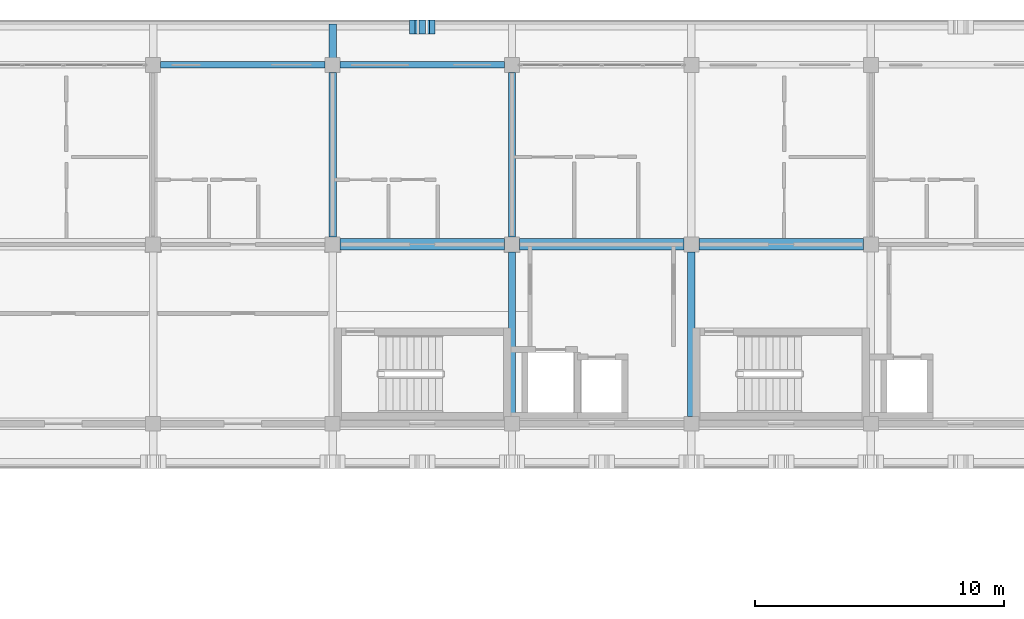
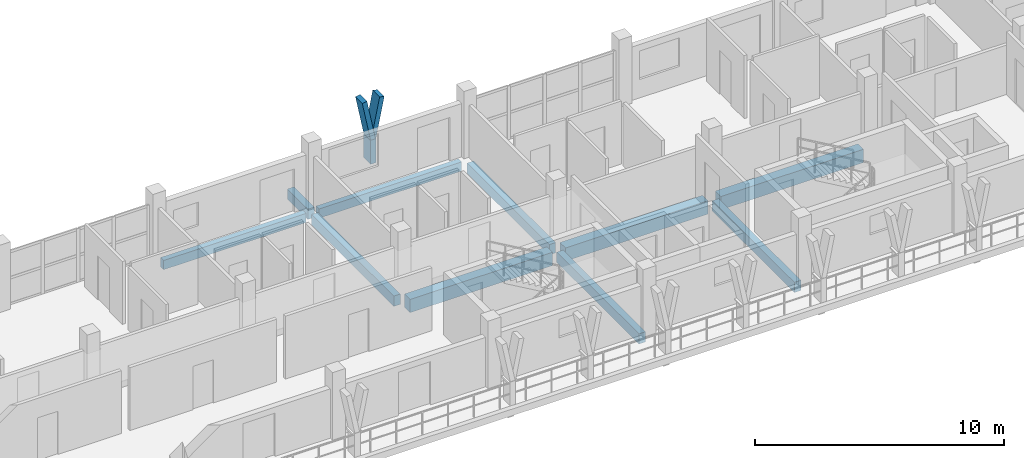
# One storey, part 9 of 60: 10 beams, 3 members.
"""IFC4 building model written with IfcOpenShell, lengths in metres."""

from ifc_helpers import new_model, si_unit, direction, frame, origin, origin_2d, place, context, subcontext, project, spatial, rectangle, extrude, material, material_profile, profile_set, type_object, element, save


model = new_model("IFC4")

# Units and contexts
model_context = context("Model", 3, precision=1e-05, world=origin(), true_north=direction((0.0, 1.0)))
body_context = subcontext(model_context, "Body", "Model", "MODEL_VIEW")
ifc_project = project(units=[si_unit("LENGTHUNIT", "METRE"), si_unit("AREAUNIT", "SQUARE_METRE"), si_unit("VOLUMEUNIT", "CUBIC_METRE"), si_unit("PLANEANGLEUNIT", "RADIAN"), si_unit("MASSUNIT", "GRAM", prefix="KILO")], contexts=[model_context])

# Site, building, storey
site_placement = place(None, origin())
site = spatial("IfcSite", under=ifc_project, at=site_placement, CompositionType="ELEMENT")
building_placement = place(site_placement, origin())
building = spatial("IfcBuilding", under=site, at=building_placement, Name="Suanplinth Sawtooth Commons", CompositionType="ELEMENT")
storey_placement = place(building_placement, frame((0.0, 0.0, 31.5)))
storey = spatial("IfcBuildingStorey", under=building, at=storey_placement, Name="L09", CompositionType="ELEMENT", Elevation=31.5)

# Beams
ifc_material_1 = material(Name="Precast concrete C40/50", Category="concrete")
ifc_material_profile_1 = material_profile(ifc_material_1, rectangle(XDim=0.449951171875, YDim=0.64990234375, at=origin_2d()), Name="PC-GDR 450x650")
ifc_profile_set_1 = profile_set([ifc_material_profile_1], Name="Precast concrete C40/50")
beam_type_1 = type_object("IfcBeamType", Name="B-04", PredefinedType="USERDEFINED", material=ifc_profile_set_1)
for number, where, z_axis, x_axis, name in (
    (1, (43.5, 115.199951171875, -0.574951171875), (1.0, 0.0, 0.0), (0.0, 1.0, 0.0), "BMX-L09-A-6-16"),
    (2, (50.699951171875, 115.199951171875, -0.574951171875), (1.0, 0.0, 0.0), (0.0, 1.0, 0.0), "BMX-L09-A-7-16"),
    (3, (57.89990234375, 115.199951171875, -0.574951171875), (1.0, 0.0, 0.0), (0.0, 1.0, 0.0), "BMX-L09-A-8-16"),
):
    element("IfcBeam", number, at=place(storey_placement, frame(where, z_axis=z_axis, x_axis=x_axis)), inside=storey, type_object=beam_type_1, Name=name, ObjectType="GIRDER", PredefinedType="USERDEFINED", context=body_context, shape_type="SweptSolid", body=[
        extrude(rectangle(XDim=0.449951171875, YDim=0.64990234375, at=origin_2d()), origin(), (0.0, 0.0, 1.0), 6.60009765625),
    ])
ifc_material_profile_2 = material_profile(ifc_material_1, rectangle(XDim=0.300048828125, YDim=0.5, at=origin_2d()), Name="PC-BM 300x500")
ifc_profile_set_2 = profile_set([ifc_material_profile_2], Name="Precast concrete C40/50")
beam_type_2 = type_object("IfcBeamType", Name="B-07", PredefinedType="BEAM", material=ifc_profile_set_2)
beam_1_placement = place(storey_placement, frame((43.199951171875, 115.5, -0.5), z_axis=(0.0, 1.0, 0.0), x_axis=(-1.0, 0.0, 0.0)))
element("IfcBeam", 4, at=beam_1_placement, inside=storey, type_object=beam_type_2, Name="BMY-L09-A-6-16", PredefinedType="BEAM", context=body_context, shape_type="SweptSolid", body=[
    extrude(rectangle(XDim=0.300048828125, YDim=0.5, at=origin_2d()), origin(), (0.0, 0.0, 1.0), 6.60009765625),
])
beam_2_placement = place(storey_placement, frame((50.39990234375, 108.300048828125, -0.5), z_axis=(0.0, 1.0, 0.0), x_axis=(-1.0, 0.0, 0.0)))
element("IfcBeam", 5, at=beam_2_placement, inside=storey, type_object=beam_type_2, Name="BMY-L09-A-7-15", PredefinedType="BEAM", context=body_context, shape_type="SweptSolid", body=[
    extrude(rectangle(XDim=0.300048828125, YDim=0.5, at=origin_2d()), origin(), (0.0, 0.0, 1.0), 6.599853515625),
])
beam_3_placement = place(storey_placement, frame((50.39990234375, 115.5, -0.5), z_axis=(0.0, 1.0, 0.0), x_axis=(-1.0, 0.0, 0.0)))
element("IfcBeam", 6, at=beam_3_placement, inside=storey, type_object=beam_type_2, Name="BMY-L09-A-7-16", PredefinedType="BEAM", context=body_context, shape_type="SweptSolid", body=[
    extrude(rectangle(XDim=0.300048828125, YDim=0.5, at=origin_2d()), origin(), (0.0, 0.0, 1.0), 6.60009765625),
])
beam_4_placement = place(storey_placement, frame((57.60009765625, 108.300048828125, -0.5), z_axis=(0.0, 1.0, 0.0), x_axis=(-1.0, 0.0, 0.0)))
element("IfcBeam", 7, at=beam_4_placement, inside=storey, type_object=beam_type_2, Name="BMY-L09-A-8-15", PredefinedType="BEAM", context=body_context, shape_type="SweptSolid", body=[
    extrude(rectangle(XDim=0.300048828125, YDim=0.5, at=origin_2d()), origin(), (0.0, 0.0, 1.0), 6.599853515625),
])
beam_5_placement = place(storey_placement, frame((43.199951171875, 122.39990234375, -0.429931640625), z_axis=(0.0, 1.0, 0.0), x_axis=(-1.0, 0.0, 0.0)))
element("IfcBeam", 8, at=beam_5_placement, inside=storey, type_object=beam_type_2, Name="Balcony Outrigger L09-A-N-6", PredefinedType="BEAM", context=body_context, shape_type="SweptSolid", body=[
    extrude(rectangle(XDim=0.300048828125, YDim=0.5, at=origin_2d()), origin(), (0.0, 0.0, 1.0), 1.64013671875),
])
ifc_material_profile_3 = material_profile(ifc_material_1, rectangle(XDim=0.25, YDim=0.449951171875, at=origin_2d()), Name="PC-SP 250x450")
ifc_profile_set_3 = profile_set([ifc_material_profile_3], Name="Precast concrete C40/50")
beam_type_3 = type_object("IfcBeamType", Name="B-09", PredefinedType="SPANDREL", material=ifc_profile_set_3)
beam_6_placement = place(storey_placement, frame((36.300048828125, 122.39990234375, -0.47509765625), z_axis=(1.0, 0.0, 0.0), x_axis=(0.0, 1.0, 0.0)))
element("IfcBeam", 9, at=beam_6_placement, inside=storey, type_object=beam_type_3, Name="BMX-L09-A-5-17", PredefinedType="SPANDREL", context=body_context, shape_type="SweptSolid", body=[
    extrude(rectangle(XDim=0.25, YDim=0.449951171875, at=origin_2d()), origin(), (0.0, 0.0, 1.0), 6.599853515625),
])
beam_7_placement = place(storey_placement, frame((43.5, 122.39990234375, -0.47509765625), z_axis=(1.0, 0.0, 0.0), x_axis=(0.0, 1.0, 0.0)))
element("IfcBeam", 10, at=beam_7_placement, inside=storey, type_object=beam_type_3, Name="BMX-L09-A-6-17", PredefinedType="SPANDREL", context=body_context, shape_type="SweptSolid", body=[
    extrude(rectangle(XDim=0.25, YDim=0.449951171875, at=origin_2d()), origin(), (0.0, 0.0, 1.0), 6.60009765625),
])

# Members
ifc_material_2 = material(Name="Pigmented precast concrete C40/50", Category="concrete")
ifc_material_profile_4 = material_profile(ifc_material_2, rectangle(XDim=0.260009765625, YDim=0.550048828125, at=origin_2d()), Name="PC-FIN 260x550")
ifc_profile_set_4 = profile_set([ifc_material_profile_4], Name="Pigmented precast concrete C40/50")
member_type_1 = type_object("IfcMemberType", Name="M-09", PredefinedType="USERDEFINED", material=ifc_profile_set_4)
member_placement = place(storey_placement, frame((46.800048828125, 123.919921875, 0.0), z_axis=(0.0, 0.0, 1.0), x_axis=(1.0, 0.0, 0.0)))
element("IfcMember", 11, at=member_placement, inside=storey, type_object=member_type_1, Name="Y-Blade Stem L09-A-N-02", ObjectType="SHADING FIN", PredefinedType="USERDEFINED", context=body_context, shape_type="SweptSolid", body=[
    extrude(rectangle(XDim=0.260009765625, YDim=0.550048828125, at=origin_2d()), origin(), (0.0, 0.0, 1.0), 1.169921875),
])
ifc_material_profile_5 = material_profile(ifc_material_2, rectangle(XDim=0.219970703125, YDim=0.550048828125, at=origin_2d()), Name="PC-FIN 220x550")
ifc_profile_set_5 = profile_set([ifc_material_profile_5], Name="Pigmented precast concrete C40/50")
member_type_2 = type_object("IfcMemberType", Name="M-10", PredefinedType="USERDEFINED", material=ifc_profile_set_5)
for number, where, z_axis, x_axis, name in (
    (12, (46.800048828125, 123.919921875, 1.1298828125), (-0.196530428008, 0.0, 0.98049772609), (0.98049772609, 0.0, 0.196530428008), "Y-Blade Arm L L09-A-N-02"),
    (13, (46.800048828125, 123.919921875, 1.1298828125), (0.196415357203, 0.0, 0.980520783795), (-0.980520783795, 0.0, 0.196415357203), "Y-Blade Arm R L09-A-N-02"),
):
    element("IfcMember", number, at=place(storey_placement, frame(where, z_axis=z_axis, x_axis=x_axis)), inside=storey, type_object=member_type_2, Name=name, ObjectType="SHADING FIN", PredefinedType="USERDEFINED", context=body_context, shape_type="SweptSolid", body=[
        extrude(rectangle(XDim=0.219970703125, YDim=0.550048828125, at=origin_2d()), origin(), (0.0, 0.0, 1.0), 2.039794921875),
    ])

save(model, "model.ifc")
